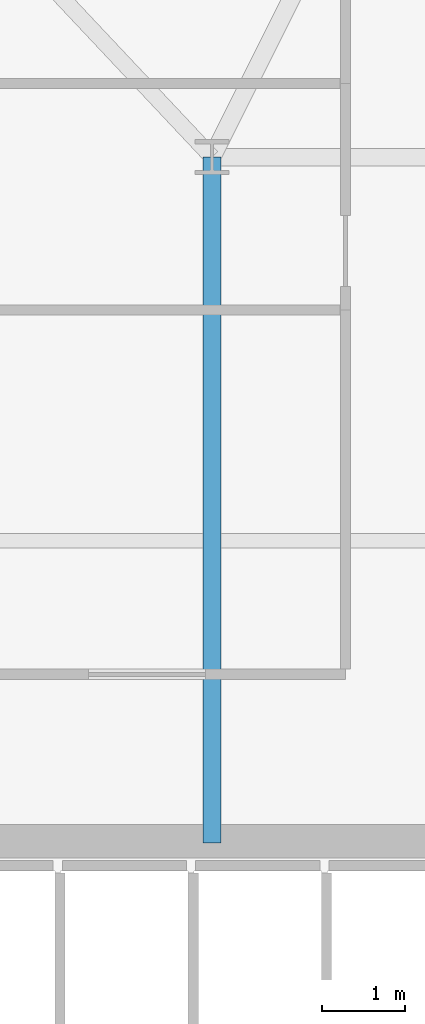
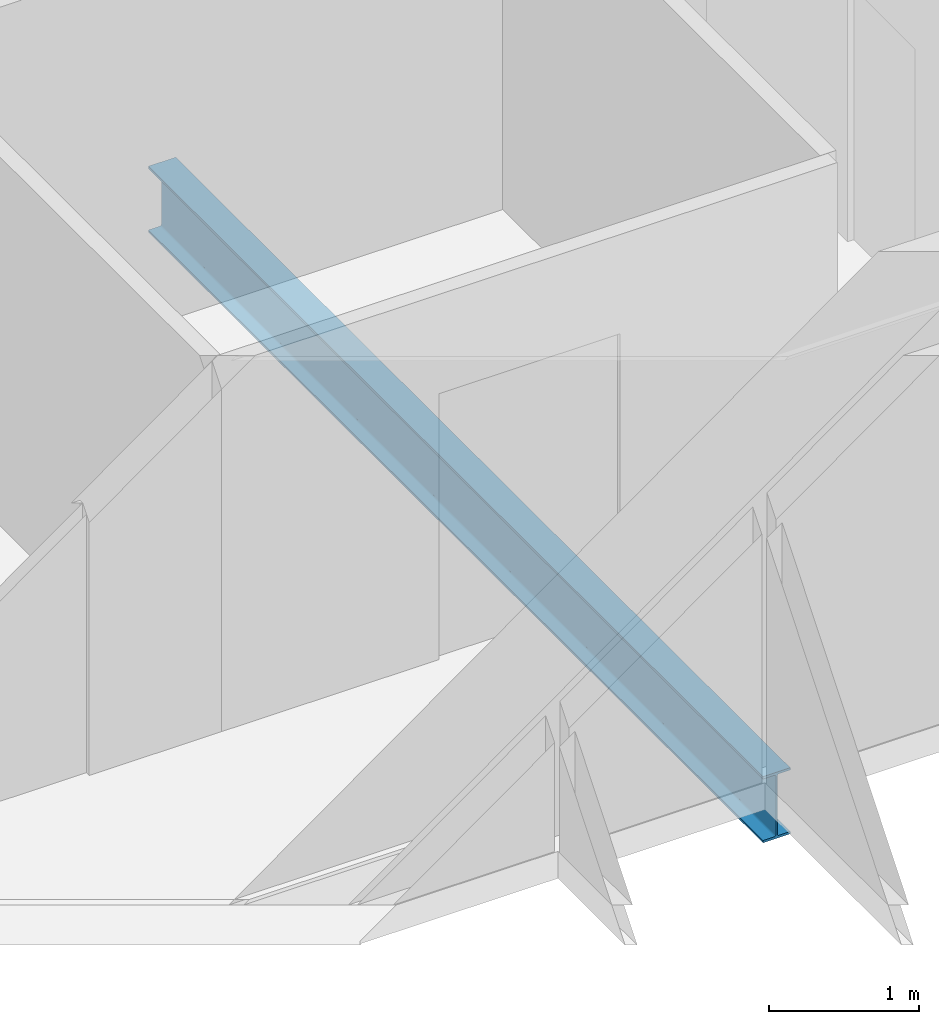
# One storey, part 6 of 35: 1 beam.
"""IFC4 building model written with IfcOpenShell, lengths in metres."""

from ifc_helpers import new_model, si_unit, direction, frame, origin, origin_2d, place, context, subcontext, project, spatial, i_section, extrude, material, material_profile, profile_set, type_object, element, save


model = new_model("IFC4")

# Units and contexts
model_context = context("Model", 3, precision=1e-05, world=origin(), true_north=direction((0.0, 1.0)))
body_context = subcontext(model_context, "Body", "Model", "MODEL_VIEW")
ifc_project = project(units=[si_unit("LENGTHUNIT", "METRE"), si_unit("AREAUNIT", "SQUARE_METRE"), si_unit("VOLUMEUNIT", "CUBIC_METRE"), si_unit("PLANEANGLEUNIT", "RADIAN"), si_unit("MASSUNIT", "GRAM", prefix="KILO")], contexts=[model_context])

# Site, building, storey
site_placement = place(None, origin())
site = spatial("IfcSite", under=ifc_project, at=site_placement, CompositionType="ELEMENT")
building_placement = place(site_placement, origin())
building = spatial("IfcBuilding", under=site, at=building_placement, Name="Ndaravel Arena Tower", CompositionType="ELEMENT")
storey_placement = place(building_placement, frame((0.0, 0.0, 172.60009765625)))
storey = spatial("IfcBuildingStorey", under=building, at=storey_placement, Name="L41", CompositionType="ELEMENT", Elevation=172.60009765625)

# Beam
ifc_material = material(Name="Steel S355", Category="steel")
ifc_material_profile = material_profile(ifc_material, i_section(OverallWidth=0.210693359375, OverallDepth=0.53955078125, WebThickness=0.01171875, FlangeThickness=0.018798828125, FilletRadius=0.0126953125, at=origin_2d()), Name="UB 533x210x109")
ifc_profile_set = profile_set([ifc_material_profile], Name="Steel S355")
beam_type = type_object("IfcBeamType", Name="BM-GIRD-UB533", PredefinedType="BEAM", material=ifc_profile_set)
beam_placement = place(storey_placement, frame((34.199951171875, 14.97998046875, -0.48974609375), z_axis=(0.0, 1.0, 0.0), x_axis=(-1.0, 0.0, 0.0)))
element("IfcBeam", 1, at=beam_placement, inside=storey, type_object=beam_type, Name="L41 Spine Link Girder SLG-01", PredefinedType="BEAM", context=body_context, shape_type="SweptSolid", body=[
    extrude(i_section(OverallWidth=0.210693359375, OverallDepth=0.53955078125, WebThickness=0.01171875, FlangeThickness=0.018798828125, FilletRadius=0.0126953125, at=origin_2d()), origin(), (0.0, 0.0, 1.0), 8.219970703125),
])

save(model, "model.ifc")
